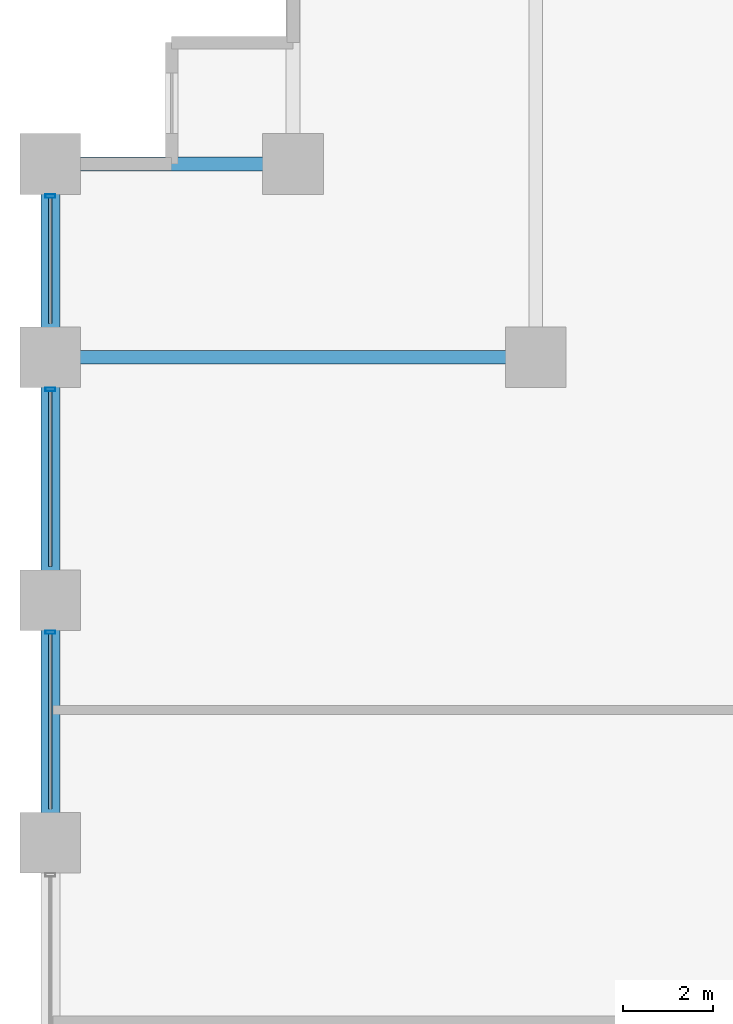
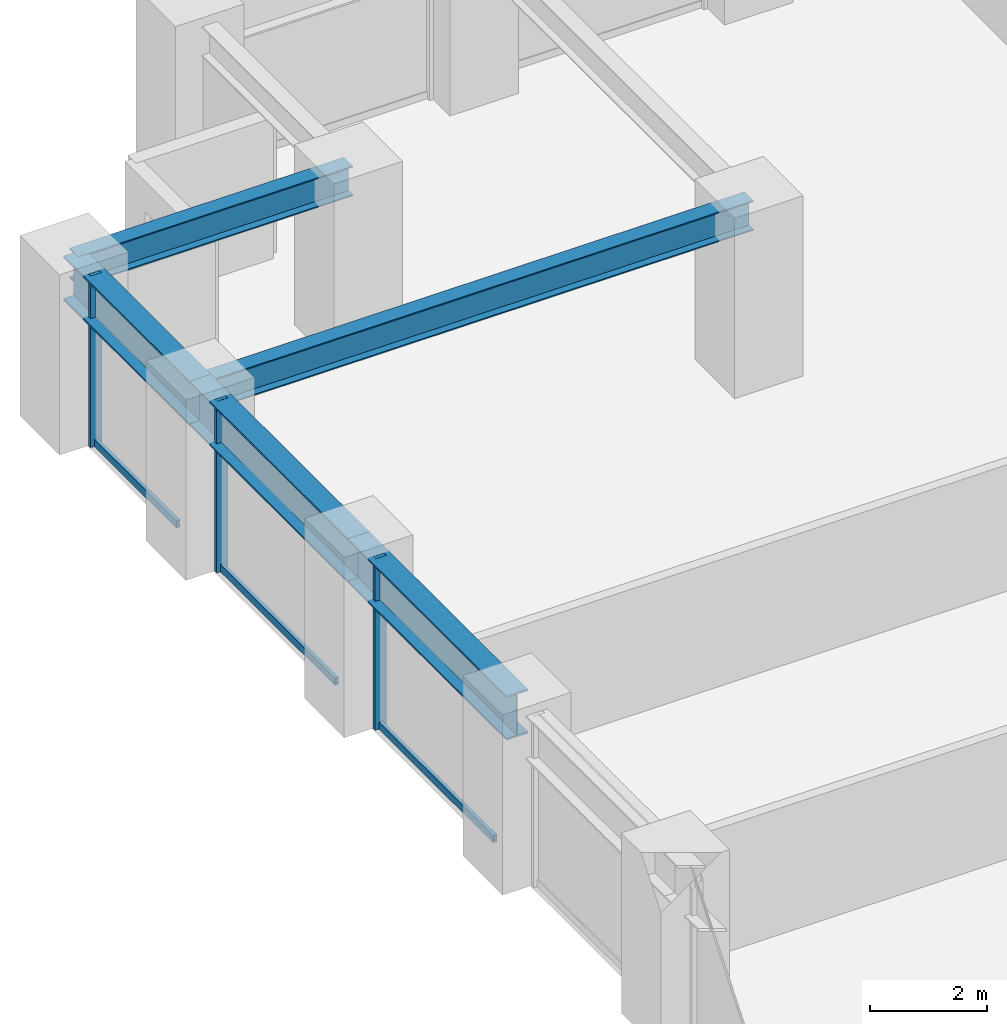
# One storey, part 10 of 24: 6 members, 5 beams, 1 element without a shape of its own.
"""IFC4 building model written with IfcOpenShell, lengths in metres."""

from ifc_helpers import new_model, si_unit, direction, frame, origin, origin_2d, place, context, subcontext, project, spatial, hollow_rectangle, i_section, extrude, material, layer, layer_set, material_profile, profile_set, type_object, element, aggregate, save


model = new_model("IFC4")

# Units and contexts
model_context = context("Model", 3, precision=1e-05, world=origin(), true_north=direction((0.0, 1.0)))
body_context = subcontext(model_context, "Body", "Model", "MODEL_VIEW")
ifc_project = project(units=[si_unit("LENGTHUNIT", "METRE"), si_unit("AREAUNIT", "SQUARE_METRE"), si_unit("VOLUMEUNIT", "CUBIC_METRE"), si_unit("PLANEANGLEUNIT", "RADIAN"), si_unit("MASSUNIT", "GRAM", prefix="KILO")], contexts=[model_context])

# Site, building, storey
site_placement = place(None, origin())
site = spatial("IfcSite", under=ifc_project, at=site_placement, CompositionType="ELEMENT")
building_placement = place(site_placement, origin())
building = spatial("IfcBuilding", under=site, at=building_placement, Name="Surkhivell Harbour Commons", CompositionType="ELEMENT")
storey_placement = place(building_placement, frame((0.0, 0.0, 30.0)))
storey = spatial("IfcBuildingStorey", under=building, at=storey_placement, Name="L07", CompositionType="ELEMENT", Elevation=30.0)

# Beams
ifc_material_1 = material(Name="Steel S355", Category="steel")
ifc_material_profile_1 = material_profile(ifc_material_1, i_section(OverallWidth=0.306884765625, OverallDepth=0.6201171875, WebThickness=0.01416015625, FlangeThickness=0.023681640625, at=origin_2d()), Name="UB610x305x179")
ifc_profile_set_1 = profile_set([ifc_material_profile_1], Name="Steel S355")
beam_type_1 = type_object("IfcBeamType", Name="BM-GRD-610A", PredefinedType="BEAM", material=ifc_profile_set_1)
beam_1_placement = place(storey_placement, frame((-32.39990234375, 16.199951171875, 3.260009765625), z_axis=(1.0, 0.0, 0.0), x_axis=(0.0, 1.0, 0.0)))
element("IfcBeam", 1, at=beam_1_placement, inside=storey, type_object=beam_type_1, Name="L07 Floor Girder (-32.4,16.2)", PredefinedType="BEAM", context=body_context, shape_type="SweptSolid", body=[
    extrude(i_section(OverallWidth=0.306884765625, OverallDepth=0.6201171875, WebThickness=0.01416015625, FlangeThickness=0.023681640625, at=origin_2d()), origin(), (0.0, 0.0, 1.0), 10.7998046875),
])
beam_2_placement = place(storey_placement, frame((-32.39990234375, 20.5, 3.260009765625), z_axis=(1.0, 0.0, 0.0), x_axis=(0.0, 1.0, 0.0)))
element("IfcBeam", 2, at=beam_2_placement, inside=storey, type_object=beam_type_1, Name="L07 Floor Girder (-32.4,20.5)", PredefinedType="BEAM", context=body_context, shape_type="SweptSolid", body=[
    extrude(i_section(OverallWidth=0.306884765625, OverallDepth=0.6201171875, WebThickness=0.01416015625, FlangeThickness=0.023681640625, at=origin_2d()), origin(), (0.0, 0.0, 1.0), 5.39990234375),
])
ifc_material_2 = material(Name="Steel S460", Category="steel")
ifc_material_profile_2 = material_profile(ifc_material_2, i_section(OverallWidth=0.419921875, OverallDepth=0.9208984375, WebThickness=0.021484375, FlangeThickness=0.03662109375, at=origin_2d()), Name="UB914x419x388")
ifc_profile_set_2 = profile_set([ifc_material_profile_2], Name="Steel S460")
beam_type_2 = type_object("IfcBeamType", Name="BM-SPN-914A", PredefinedType="SPANDREL", material=ifc_profile_set_2)
beam_3_placement = place(storey_placement, frame((-32.39990234375, 5.39990234375, 3.109619140625), z_axis=(0.0, 1.0, 0.0), x_axis=(-1.0, 0.0, 0.0)))
element("IfcBeam", 3, at=beam_3_placement, inside=storey, type_object=beam_type_2, Name="L07 Tube Spandrel (-32.4,5.4)", PredefinedType="SPANDREL", context=body_context, shape_type="SweptSolid", body=[
    extrude(i_section(OverallWidth=0.419921875, OverallDepth=0.9208984375, WebThickness=0.021484375, FlangeThickness=0.03662109375, at=origin_2d()), origin(), (0.0, 0.0, 1.0), 5.400146484375),
])
beam_4_placement = place(storey_placement, frame((-32.39990234375, 10.800048828125, 3.109619140625), z_axis=(0.0, 1.0, 0.0), x_axis=(-1.0, 0.0, 0.0)))
element("IfcBeam", 4, at=beam_4_placement, inside=storey, type_object=beam_type_2, Name="L07 Tube Spandrel (-32.4,10.8)", PredefinedType="SPANDREL", context=body_context, shape_type="SweptSolid", body=[
    extrude(i_section(OverallWidth=0.419921875, OverallDepth=0.9208984375, WebThickness=0.021484375, FlangeThickness=0.03662109375, at=origin_2d()), origin(), (0.0, 0.0, 1.0), 5.39990234375),
])
beam_5_placement = place(storey_placement, frame((-32.39990234375, 16.199951171875, 3.109619140625), z_axis=(0.0, 1.0, 0.0), x_axis=(-1.0, 0.0, 0.0)))
element("IfcBeam", 5, at=beam_5_placement, inside=storey, type_object=beam_type_2, Name="L07 Tube Spandrel (-32.4,16.2)", PredefinedType="SPANDREL", context=body_context, shape_type="SweptSolid", body=[
    extrude(i_section(OverallWidth=0.419921875, OverallDepth=0.9208984375, WebThickness=0.021484375, FlangeThickness=0.03662109375, at=origin_2d()), origin(), (0.0, 0.0, 1.0), 4.300048828125),
])

# Curtain wall, members
ifc_material_3 = material(Name="Anodised pale-metal aluminium and insulated glazing", Category="aluminium")
ifc_layer = layer(ifc_material_3, 0.219970703125)
ifc_layer_set = layer_set([ifc_layer], Name="Anodised pale-metal aluminium and insulated glazing")
curtain_wall_type = type_object("IfcCurtainWallType", Name="CW-SYS-Z1", PredefinedType="NOTDEFINED", material=ifc_layer_set)
curtain_wall_placement = place(storey_placement, origin())
curtain_wall = element("IfcCurtainWall", 6, at=curtain_wall_placement, inside=storey, type_object=curtain_wall_type, Name="L07 Curtain Wall CW-L07-E12S1", PredefinedType="NOTDEFINED")
ifc_material_4 = material(Name="Anodised pale-metal aluminium alloy 6063-T6", Category="aluminium")
ifc_material_profile_3 = material_profile(ifc_material_4, hollow_rectangle(XDim=0.074951171875, YDim=0.219970703125, WallThickness=0.00390625, at=origin_2d()), Name="ALU-MULL-75x220")
ifc_profile_set_3 = profile_set([ifc_material_profile_3], Name="Anodised pale-metal aluminium alloy 6063-T6")
member_type_1 = type_object("IfcMemberType", Name="CWM-220", PredefinedType="MULLION", material=ifc_profile_set_3)
member_1_placement = place(storey_placement, frame((-32.39990234375, 19.785400390625, 0.0), z_axis=(0.0, 0.0, 1.0), x_axis=(0.0, -1.0, 0.0)))
member_1 = element("IfcMember", 7, at=member_1_placement, type_object=member_type_1, Name="CW-Z1 mullion 1", PredefinedType="MULLION", context=body_context, shape_type="SweptSolid", body=[
    extrude(hollow_rectangle(XDim=0.074951171875, YDim=0.219970703125, WallThickness=0.00390625, at=origin_2d()), origin(), (0.0, 0.0, 1.0), 3.570068359375),
])
member_2_placement = place(storey_placement, frame((-32.39990234375, 15.485595703125, 0.0), z_axis=(0.0, 0.0, 1.0), x_axis=(0.0, -1.0, 0.0)))
member_2 = element("IfcMember", 8, at=member_2_placement, type_object=member_type_1, Name="CW-Z1 mullion 2", PredefinedType="MULLION", context=body_context, shape_type="SweptSolid", body=[
    extrude(hollow_rectangle(XDim=0.074951171875, YDim=0.219970703125, WallThickness=0.00390625, at=origin_2d()), origin(), (0.0, 0.0, 1.0), 3.570068359375),
])
member_3_placement = place(storey_placement, frame((-32.39990234375, 10.08544921875, 0.0), z_axis=(0.0, 0.0, 1.0), x_axis=(0.0, -1.0, 0.0)))
member_3 = element("IfcMember", 9, at=member_3_placement, type_object=member_type_1, Name="CW-Z1 mullion 3", PredefinedType="MULLION", context=body_context, shape_type="SweptSolid", body=[
    extrude(hollow_rectangle(XDim=0.074951171875, YDim=0.219970703125, WallThickness=0.00390625, at=origin_2d()), origin(), (0.0, 0.0, 1.0), 3.570068359375),
])
ifc_material_profile_4 = material_profile(ifc_material_4, hollow_rectangle(XDim=0.074951171875, YDim=0.14990234375, WallThickness=0.00341796875, at=origin_2d()), Name="ALU-TRAN-75x150")
ifc_profile_set_4 = profile_set([ifc_material_profile_4], Name="Anodised pale-metal aluminium alloy 6063-T6")
member_type_2 = type_object("IfcMemberType", Name="CWT-150", PredefinedType="USERDEFINED", material=ifc_profile_set_4)
member_4_placement = place(storey_placement, frame((-32.39990234375, 19.748046875, 0.074951171875), z_axis=(0.0, -1.0, 0.0), x_axis=(1.0, 0.0, 0.0)))
member_4 = element("IfcMember", 10, at=member_4_placement, type_object=member_type_2, Name="CW-Z1 transom 1.1", ObjectType="TRANSOM", PredefinedType="USERDEFINED", context=body_context, shape_type="SweptSolid", body=[
    extrude(hollow_rectangle(XDim=0.074951171875, YDim=0.14990234375, WallThickness=0.00341796875, at=origin_2d()), origin(), (0.0, 0.0, 1.0), 2.796142578125),
])
member_5_placement = place(storey_placement, frame((-32.39990234375, 15.447998046875, 0.074951171875), z_axis=(0.0, -1.0, 0.0), x_axis=(1.0, 0.0, 0.0)))
member_5 = element("IfcMember", 11, at=member_5_placement, type_object=member_type_2, Name="CW-Z1 transom 2.1", ObjectType="TRANSOM", PredefinedType="USERDEFINED", context=body_context, shape_type="SweptSolid", body=[
    extrude(hollow_rectangle(XDim=0.074951171875, YDim=0.14990234375, WallThickness=0.00341796875, at=origin_2d()), origin(), (0.0, 0.0, 1.0), 3.89599609375),
])
member_6_placement = place(storey_placement, frame((-32.39990234375, 10.048095703125, 0.074951171875), z_axis=(0.0, -1.0, 0.0), x_axis=(1.0, 0.0, 0.0)))
member_6 = element("IfcMember", 12, at=member_6_placement, type_object=member_type_2, Name="CW-Z1 transom 3.1", ObjectType="TRANSOM", PredefinedType="USERDEFINED", context=body_context, shape_type="SweptSolid", body=[
    extrude(hollow_rectangle(XDim=0.074951171875, YDim=0.14990234375, WallThickness=0.00341796875, at=origin_2d()), origin(), (0.0, 0.0, 1.0), 3.89599609375),
])
aggregate(curtain_wall, [member_1, member_4, member_2, member_5, member_3, member_6])

save(model, "model.ifc")
